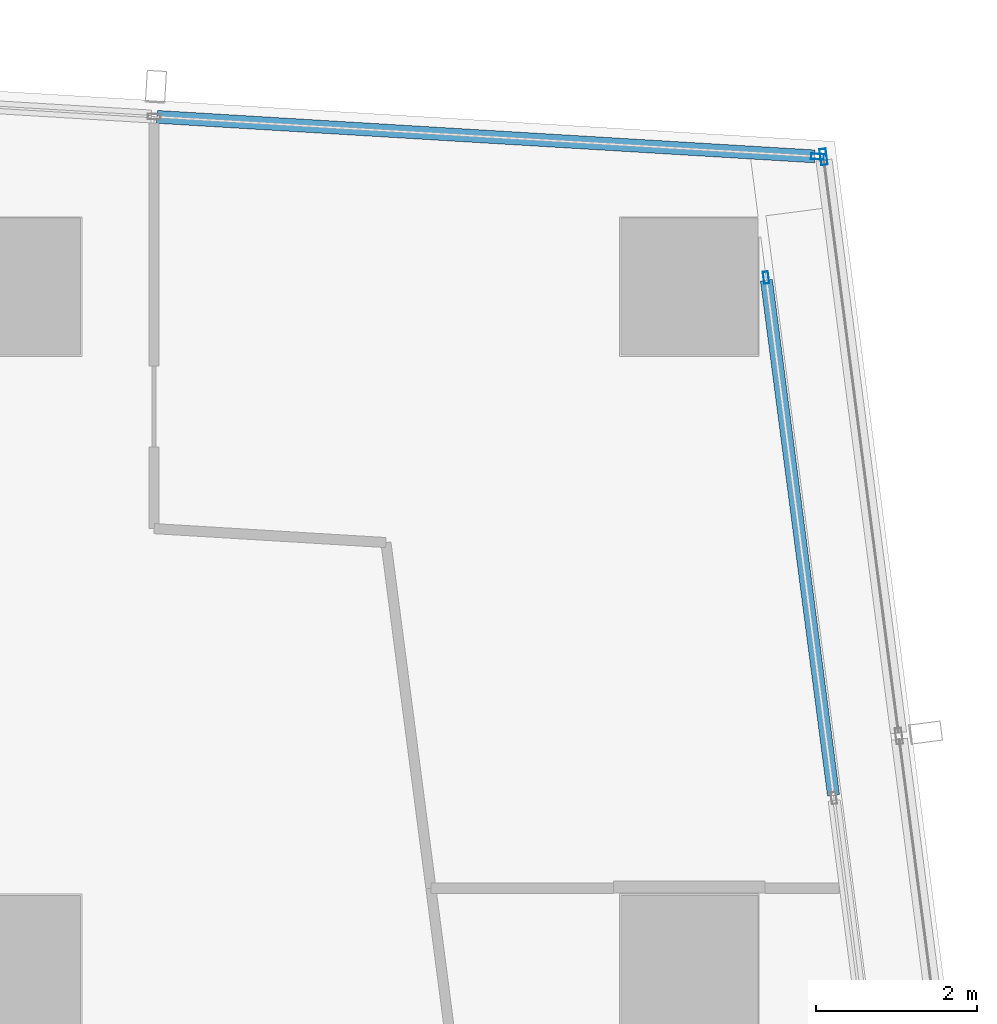
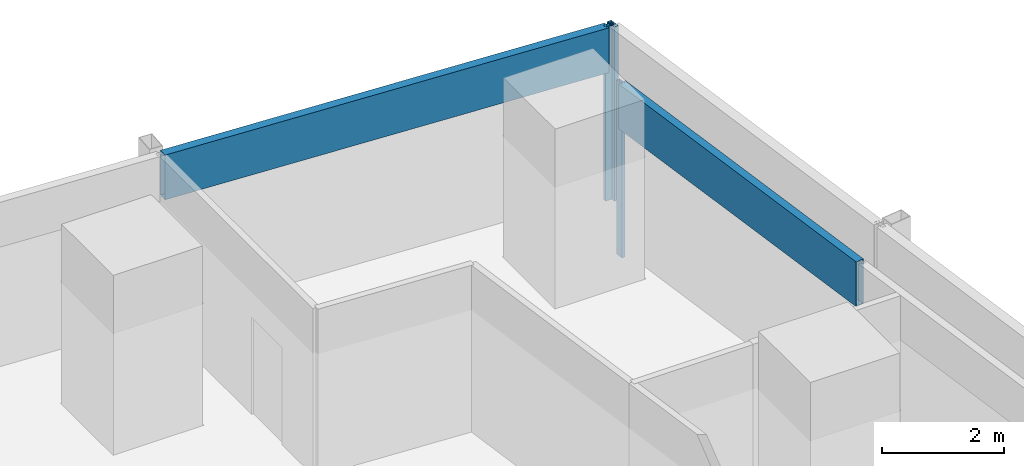
# One storey, part 20 of 40: 5 members, 3 elements without a shape of their own.
"""IFC4 building model written with IfcOpenShell, lengths in metres."""

from ifc_helpers import new_model, si_unit, direction, frame, origin, origin_2d, place, context, subcontext, project, spatial, hollow_rectangle, extrude, material, material_profile, profile_set, type_object, element, aggregate, save


model = new_model("IFC4")

# Units and contexts
model_context = context("Model", 3, precision=1e-05, world=origin(), true_north=direction((0.0, 1.0)))
body_context = subcontext(model_context, "Body", "Model", "MODEL_VIEW")
ifc_project = project(units=[si_unit("LENGTHUNIT", "METRE"), si_unit("AREAUNIT", "SQUARE_METRE"), si_unit("VOLUMEUNIT", "CUBIC_METRE"), si_unit("PLANEANGLEUNIT", "RADIAN"), si_unit("MASSUNIT", "GRAM", prefix="KILO")], contexts=[model_context])

# Site, building, storey
site_placement = place(None, origin())
site = spatial("IfcSite", under=ifc_project, at=site_placement, CompositionType="ELEMENT")
building_placement = place(site_placement, origin())
building = spatial("IfcBuilding", under=site, at=building_placement, Name="Rekha Terrace Tower", CompositionType="ELEMENT")
storey_placement = place(building_placement, frame((0.0, 0.0, 136.550048828125)))
storey = spatial("IfcBuildingStorey", under=building, at=storey_placement, Name="L34", CompositionType="ELEMENT", Elevation=136.550048828125)

# Curtain wall, members
ifc_material_1 = material(Name="Aluminium framing", Category="aluminium")
curtain_wall_type_1 = type_object("IfcCurtainWallType", Name="CW1 double skin inner glazing", PredefinedType="USERDEFINED", material=ifc_material_1)
curtain_wall_1_placement = place(storey_placement, origin())
curtain_wall_1 = element("IfcCurtainWall", 1, at=curtain_wall_1_placement, inside=storey, type_object=curtain_wall_type_1, Name="CW1 double skin inner glazing", ObjectType="DOUBLE SKIN INNER GLAZING", PredefinedType="USERDEFINED")
ifc_material_2 = material(Name="Aluminium mullion section", Category="aluminium")
ifc_material_profile_1 = material_profile(ifc_material_2, hollow_rectangle(XDim=0.06494140625, YDim=0.14990234375, WallThickness=0.00390625, at=origin_2d()), Name="AL RHS 65x150")
ifc_profile_set_1 = profile_set([ifc_material_profile_1], Name="Aluminium mullion section")
member_type_1 = type_object("IfcMemberType", Name="CW1 mullion RHS 65 x 150", PredefinedType="MULLION", material=ifc_profile_set_1)
member_1_placement = place(storey_placement, frame((68.15087890625, 58.910888671875, 0.0), z_axis=(0.0, 0.0, 1.0), x_axis=(-0.991629186237, -0.129118383675, 0.0)))
member_1 = element("IfcMember", 2, at=member_1_placement, type_object=member_type_1, Name="CW1 mullion 3", PredefinedType="MULLION", context=body_context, shape_type="SweptSolid", body=[
    extrude(hollow_rectangle(XDim=0.06494140625, YDim=0.14990234375, WallThickness=0.00390625, at=origin_2d()), origin(), (0.0, 0.0, 1.0), 3.5),
])
ifc_material_3 = material(Name="Insulated aluminium spandrel box", Category="aluminium")
ifc_material_profile_2 = material_profile(ifc_material_3, hollow_rectangle(XDim=0.14990234375, YDim=0.89990234375, WallThickness=0.0029296875, at=origin_2d()), Name="AL SPANDREL BOX 150x900")
ifc_profile_set_2 = profile_set([ifc_material_profile_2], Name="Insulated aluminium spandrel box")
member_type_2 = type_object("IfcMemberType", Name="CW1 spandrel transom 150 x 900", PredefinedType="USERDEFINED", material=ifc_profile_set_2)
member_2_placement = place(storey_placement, frame((68.987060546875, 52.48974609375, 3.050048828125), z_axis=(-0.129102663866, 0.991631232961, 0.0), x_axis=(-0.991631232961, -0.129102663866, 0.0)))
member_2 = element("IfcMember", 3, at=member_2_placement, type_object=member_type_2, Name="CW1 spandrel transom 2", ObjectType="TRANSOM", PredefinedType="USERDEFINED", context=body_context, shape_type="SweptSolid", body=[
    extrude(hollow_rectangle(XDim=0.14990234375, YDim=0.89990234375, WallThickness=0.0029296875, at=origin_2d()), origin(), (0.0, 0.0, 1.0), 6.44287109375),
])
aggregate(curtain_wall_1, [member_1, member_2])

# Curtain wall, member
curtain_wall_type_2 = type_object("IfcCurtainWallType", Name="CW2 double skin outer glazing", PredefinedType="USERDEFINED", material=ifc_material_1)
curtain_wall_2_placement = place(storey_placement, origin())
curtain_wall_2 = element("IfcCurtainWall", 4, at=curtain_wall_2_placement, inside=storey, type_object=curtain_wall_type_2, Name="CW2 double skin outer glazing", ObjectType="DOUBLE SKIN OUTER GLAZING", PredefinedType="USERDEFINED")
ifc_material_profile_3 = material_profile(ifc_material_2, hollow_rectangle(XDim=0.080078125, YDim=0.199951171875, WallThickness=0.00390625, at=origin_2d()), Name="AL RHS 80x200")
ifc_profile_set_3 = profile_set([ifc_material_profile_3], Name="Aluminium mullion section")
member_type_3 = type_object("IfcMemberType", Name="CW2 mullion RHS 80 x 200", PredefinedType="MULLION", material=ifc_profile_set_3)
member_3_placement = place(storey_placement, frame((68.863525390625, 60.408447265625, 0.0), z_axis=(0.0, 0.0, 1.0), x_axis=(-0.991629186244, -0.129118383623, 0.0)))
member_3 = element("IfcMember", 5, at=member_3_placement, type_object=member_type_3, Name="CW2 mullion 3", PredefinedType="MULLION", context=body_context, shape_type="SweptSolid", body=[
    extrude(hollow_rectangle(XDim=0.080078125, YDim=0.199951171875, WallThickness=0.00390625, at=origin_2d()), origin(), (0.0, 0.0, 1.0), 3.5),
])
aggregate(curtain_wall_2, [member_3])

# Curtain wall, members
curtain_wall_type_3 = type_object("IfcCurtainWallType", Name="CW3 north unitised glazing", PredefinedType="USERDEFINED", material=ifc_material_1)
curtain_wall_3_placement = place(storey_placement, origin())
curtain_wall_3 = element("IfcCurtainWall", 6, at=curtain_wall_3_placement, inside=storey, type_object=curtain_wall_type_3, Name="CW3 unitised curtain wall", ObjectType="UNITISED CURTAIN WALL", PredefinedType="USERDEFINED")
ifc_material_profile_4 = material_profile(ifc_material_2, hollow_rectangle(XDim=0.070068359375, YDim=0.159912109375, WallThickness=0.00390625, at=origin_2d()), Name="AL RHS 70x160")
ifc_profile_set_4 = profile_set([ifc_material_profile_4], Name="Aluminium mullion section")
member_type_4 = type_object("IfcMemberType", Name="CW3 mullion RHS 70 x 160", PredefinedType="MULLION", material=ifc_profile_set_4)
member_4_placement = place(storey_placement, frame((68.7880859375, 60.412353515625, 0.0), z_axis=(0.0, 0.0, 1.0), x_axis=(-0.059987926837, -0.998199102701, 0.0)))
member_4 = element("IfcMember", 7, at=member_4_placement, type_object=member_type_4, Name="CW3 mullion 1", PredefinedType="MULLION", context=body_context, shape_type="SweptSolid", body=[
    extrude(hollow_rectangle(XDim=0.070068359375, YDim=0.159912109375, WallThickness=0.00390625, at=origin_2d()), origin(), (0.0, 0.0, 1.0), 3.5),
])
ifc_material_profile_5 = material_profile(ifc_material_3, hollow_rectangle(XDim=0.159912109375, YDim=0.89990234375, WallThickness=0.0029296875, at=origin_2d()), Name="AL SPANDREL BOX 160x900")
ifc_profile_set_5 = profile_set([ifc_material_profile_5], Name="Insulated aluminium spandrel box")
member_type_5 = type_object("IfcMemberType", Name="CW3 spandrel transom 160 x 900", PredefinedType="USERDEFINED", material=ifc_profile_set_5)
member_5_placement = place(storey_placement, frame((68.753173828125, 60.41455078125, 3.050048828125), z_axis=(-0.998198874769, 0.05999171951, 0.0), x_axis=(-0.05999171951, -0.998198874769, 0.0)))
member_5 = element("IfcMember", 8, at=member_5_placement, type_object=member_type_5, Name="CW3 spandrel transom 1", ObjectType="TRANSOM", PredefinedType="USERDEFINED", context=body_context, shape_type="SweptSolid", body=[
    extrude(hollow_rectangle(XDim=0.159912109375, YDim=0.89990234375, WallThickness=0.0029296875, at=origin_2d()), origin(), (0.0, 0.0, 1.0), 8.171630859375),
])
aggregate(curtain_wall_3, [member_4, member_5])

save(model, "model.ifc")
